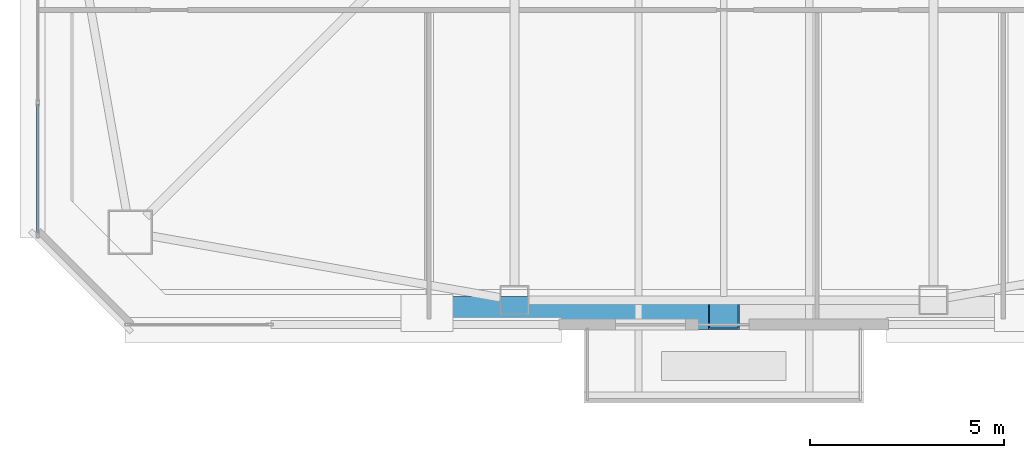
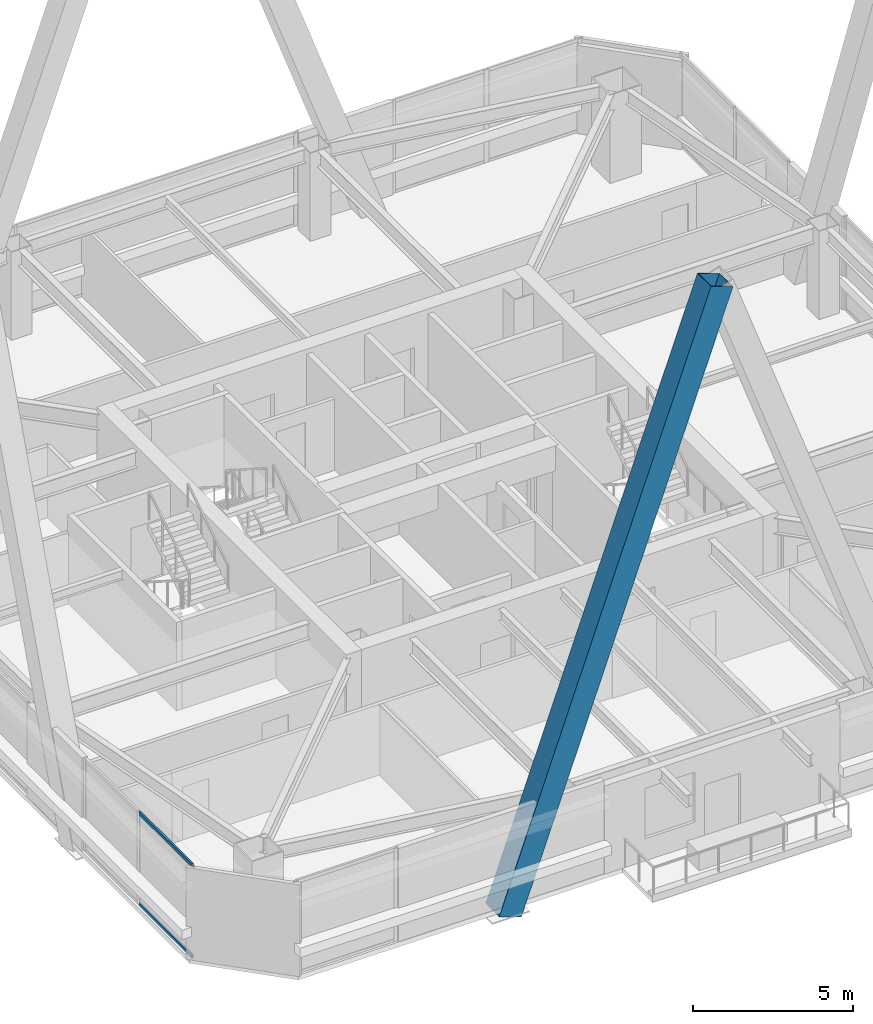
# One storey, part 4 of 55: 3 members, 1 element without a shape of its own.
"""IFC4 building model written with IfcOpenShell, lengths in metres."""

from ifc_helpers import new_model, si_unit, direction, frame, origin, origin_2d, place, context, subcontext, project, spatial, hollow_rectangle, extrude, material, material_profile, profile_set, type_object, element, aggregate, save


model = new_model("IFC4")

# Units and contexts
model_context = context("Model", 3, precision=1e-05, world=origin(), true_north=direction((0.0, 1.0)))
body_context = subcontext(model_context, "Body", "Model", "MODEL_VIEW")
ifc_project = project(units=[si_unit("LENGTHUNIT", "METRE"), si_unit("AREAUNIT", "SQUARE_METRE"), si_unit("VOLUMEUNIT", "CUBIC_METRE"), si_unit("PLANEANGLEUNIT", "RADIAN"), si_unit("MASSUNIT", "GRAM", prefix="KILO")], contexts=[model_context])

# Site, building, storey
site_placement = place(None, origin())
site = spatial("IfcSite", under=ifc_project, at=site_placement, CompositionType="ELEMENT")
building_placement = place(site_placement, origin())
building = spatial("IfcBuilding", under=site, at=building_placement, Name="Tashvorn Skyway Center", CompositionType="ELEMENT")
storey_placement = place(building_placement, frame((0.0, 0.0, 178.300048828125)))
storey = spatial("IfcBuildingStorey", under=building, at=storey_placement, Name="L48", CompositionType="ELEMENT", Elevation=178.300048828125)

# Curtain wall, members
ifc_material_1 = material(Name="Thermally broken bronze-anodized aluminium 6063-T6", Category="aluminium")
curtain_wall_type = type_object("IfcCurtainWallType", Name="CW-CW-Z4", PredefinedType="NOTDEFINED", material=ifc_material_1)
curtain_wall_placement = place(storey_placement, origin())
curtain_wall = element("IfcCurtainWall", 1, at=curtain_wall_placement, inside=storey, type_object=curtain_wall_type, Name="Tower 1 L48 West Unitised Curtain Wall Glazing Group 1", PredefinedType="NOTDEFINED")
ifc_material_profile_1 = material_profile(ifc_material_1, hollow_rectangle(XDim=0.070068359375, YDim=0.1298828125, WallThickness=0.00390625, at=origin_2d()), Name="ALU-TRAN-70x130")
ifc_profile_set_1 = profile_set([ifc_material_profile_1], Name="Thermally broken bronze-anodized aluminium 6063-T6")
member_type_1 = type_object("IfcMemberType", Name="CWT-CW-Z4", PredefinedType="USERDEFINED", material=ifc_profile_set_1)
member_1_placement = place(storey_placement, frame((24.320068359375, 16.68994140625, 0.034912109375), z_axis=(0.0, 1.0, 0.0), x_axis=(-1.0, 0.0, 0.0)))
member_1 = element("IfcMember", 2, at=member_1_placement, type_object=member_type_1, Name="CW-Z4 transom 1.1", ObjectType="TRANSOM", PredefinedType="USERDEFINED", context=body_context, shape_type="SweptSolid", body=[
    extrude(hollow_rectangle(XDim=0.070068359375, YDim=0.1298828125, WallThickness=0.00390625, at=origin_2d()), origin(), (0.0, 0.0, 1.0), 3.312744140625),
])
member_2_placement = place(storey_placement, frame((24.320068359375, 16.68994140625, 3.514892578125), z_axis=(0.0, 1.0, 0.0), x_axis=(-1.0, 0.0, 0.0)))
member_2 = element("IfcMember", 3, at=member_2_placement, type_object=member_type_1, Name="CW-Z4 transom 1.2", ObjectType="TRANSOM", PredefinedType="USERDEFINED", context=body_context, shape_type="SweptSolid", body=[
    extrude(hollow_rectangle(XDim=0.070068359375, YDim=0.1298828125, WallThickness=0.00390625, at=origin_2d()), origin(), (0.0, 0.0, 1.0), 3.312744140625),
])
aggregate(curtain_wall, [member_1, member_2])

# Member
ifc_material_2 = material(Name="Steel ASTM A572 Grade 50", Category="steel")
ifc_material_profile_2 = material_profile(ifc_material_2, hollow_rectangle(XDim=0.85009765625, YDim=0.85009765625, WallThickness=0.034912109375, at=origin_2d()), Name="BOX850x850x35")
ifc_profile_set_2 = profile_set([ifc_material_profile_2], Name="Steel ASTM A572 Grade 50")
member_type_2 = type_object("IfcMemberType", Name="MEM-MB-850", PredefinedType="BRACE", material=ifc_profile_set_2)
member_3_placement = place(storey_placement, frame((34.35009765625, 14.6201171875, -0.449951171875), z_axis=(0.336612679687, 0.0, 0.941643193505), x_axis=(0.0, 1.0, 0.0)))
element("IfcMember", 4, at=member_3_placement, inside=storey, type_object=member_type_2, Name="Tower 1 Zone 4 S Chevron Mega-Brace L2", PredefinedType="BRACE", context=body_context, shape_type="SweptSolid", body=[
    extrude(hollow_rectangle(XDim=0.85009765625, YDim=0.85009765625, WallThickness=0.034912109375, at=origin_2d()), origin(), (0.0, 0.0, 1.0), 22.72607421875),
])

save(model, "model.ifc")
